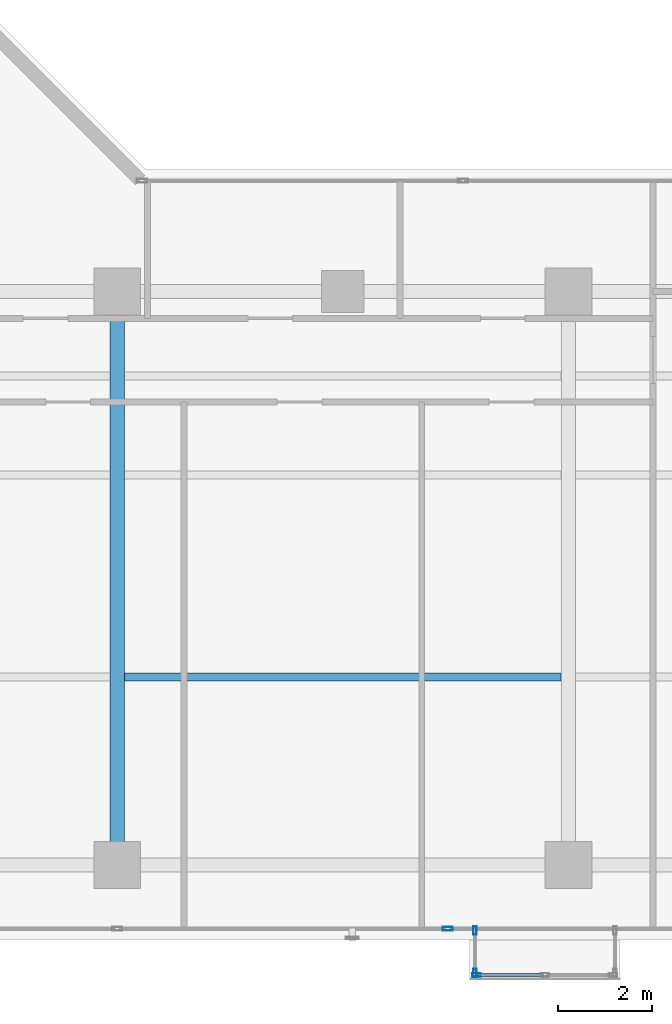
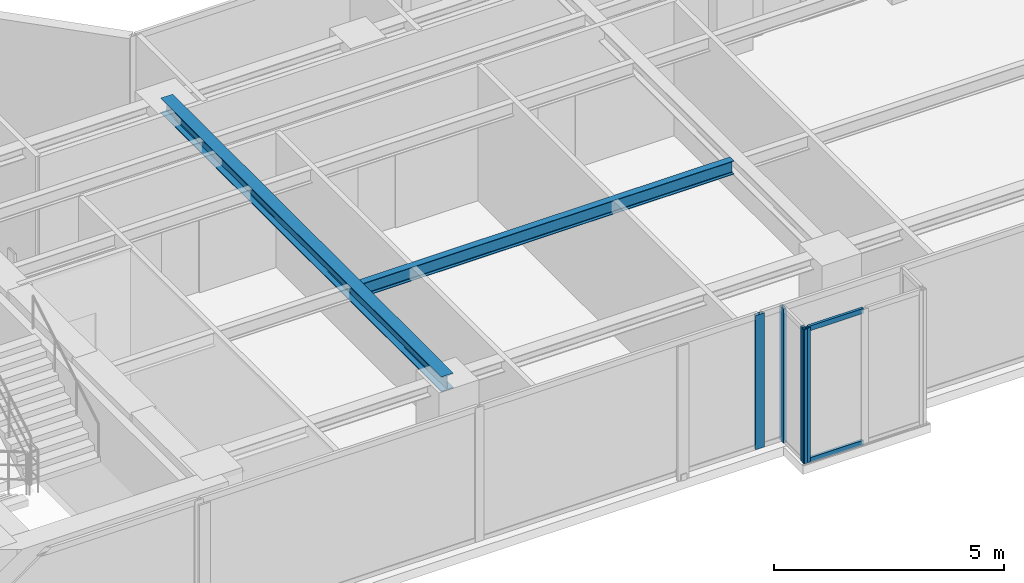
# One storey, part 5 of 24: 6 members, 2 beams, 3 elements without a shape of their own.
"""IFC4 building model written with IfcOpenShell, lengths in metres."""

from ifc_helpers import new_model, si_unit, direction, frame, origin, origin_with_axes, origin_2d, place, context, subcontext, project, spatial, hollow_rectangle, i_section, extrude, source, transform, mapped, material, layer, layer_set, material_profile, profile_set, type_object, element, aggregate, save


model = new_model("IFC4")

# Units and contexts
model_context = context("Model", 3, precision=1e-05, world=origin(), true_north=direction((0.0, 1.0)))
body_context = subcontext(model_context, "Body", "Model", "MODEL_VIEW")
ifc_project = project(units=[si_unit("LENGTHUNIT", "METRE"), si_unit("AREAUNIT", "SQUARE_METRE"), si_unit("VOLUMEUNIT", "CUBIC_METRE"), si_unit("PLANEANGLEUNIT", "RADIAN"), si_unit("MASSUNIT", "GRAM", prefix="KILO")], contexts=[model_context])

# Site, building, storey
site_placement = place(None, origin())
site = spatial("IfcSite", under=ifc_project, at=site_placement, CompositionType="ELEMENT")
building_placement = place(site_placement, origin())
building = spatial("IfcBuilding", under=site, at=building_placement, Name="Kolvaren Waterfront Exchange", CompositionType="ELEMENT")
storey_placement = place(building_placement, frame((0.0, 0.0, 208.300048828125)))
storey = spatial("IfcBuildingStorey", under=building, at=storey_placement, Name="L53", CompositionType="ELEMENT", Elevation=208.300048828125)

# Beams
ifc_material_1 = material(Name="Steel S355", Category="steel")
ifc_material_profile_1 = material_profile(ifc_material_1, i_section(OverallWidth=0.300048828125, OverallDepth=0.39990234375, WebThickness=0.013427734375, FlangeThickness=0.02392578125, FilletRadius=0.027099609375, at=origin_2d()), Name="HEB400")
ifc_profile_set_1 = profile_set([ifc_material_profile_1], Name="Steel S355")
beam_type_1 = type_object("IfcBeamType", Name="STR-BM-HEB400", PredefinedType="BEAM", material=ifc_profile_set_1)
beam_1_placement = place(storey_placement, frame((27.199951171875, 5.199951171875, 3.35986328125), z_axis=(0.0, 1.0, 0.0), x_axis=(-1.0, 0.0, 0.0)))
element("IfcBeam", 1, at=beam_1_placement, inside=storey, type_object=beam_type_1, Name="L53 east-arm transverse girder X27", PredefinedType="BEAM", context=body_context, shape_type="SweptSolid", body=[
    extrude(i_section(OverallWidth=0.300048828125, OverallDepth=0.39990234375, WebThickness=0.013427734375, FlangeThickness=0.02392578125, FilletRadius=0.027099609375, at=origin_2d()), origin(), (0.0, 0.0, 1.0), 12.199951171875),
])
ifc_material_profile_2 = material_profile(ifc_material_1, i_section(OverallWidth=0.169921875, OverallDepth=0.360107421875, WebThickness=0.008056640625, FlangeThickness=0.0126953125, FilletRadius=0.01806640625, at=origin_2d()), Name="IPE360")
ifc_profile_set_2 = profile_set([ifc_material_profile_2], Name="Steel S355")
beam_type_2 = type_object("IfcBeamType", Name="STR-BM-IPE360", PredefinedType="JOIST", material=ifc_profile_set_2)
beam_2_placement = place(storey_placement, frame((27.35205078125, 9.199951171875, 3.3798828125), z_axis=(1.0, 0.0, 0.0), x_axis=(0.0, 1.0, 0.0)))
element("IfcBeam", 2, at=beam_2_placement, inside=storey, type_object=beam_type_2, Name="L53 east-arm composite joist 2B", PredefinedType="JOIST", context=body_context, shape_type="SweptSolid", body=[
    extrude(i_section(OverallWidth=0.169921875, OverallDepth=0.360107421875, WebThickness=0.008056640625, FlangeThickness=0.0126953125, FilletRadius=0.01806640625, at=origin_2d()), origin(), (0.0, 0.0, 1.0), 9.2958984375),
])

# Curtain wall, members
ifc_material_2 = material(Name="Anodised bronze aluminium 6063-T6", Category="aluminium")
ifc_layer_1 = layer(ifc_material_2, 0.219970703125, Name="Anodised bronze aluminium 6063-T6")
ifc_layer_set_1 = layer_set([ifc_layer_1], Name="Anodised bronze aluminium 6063-T6")
curtain_wall_type_1 = type_object("IfcCurtainWallType", Name="ARC-CW-SYS3", PredefinedType="USERDEFINED", material=ifc_layer_set_1)
curtain_wall_1_placement = place(storey_placement, origin())
curtain_wall_1 = element("IfcCurtainWall", 3, at=curtain_wall_1_placement, inside=storey, type_object=curtain_wall_type_1, Name="L53 stick curtain wall CW3 (CW-L53-BOX)", ObjectType="STICK CURTAIN WALL", PredefinedType="USERDEFINED")
ifc_material_profile_3 = material_profile(ifc_material_2, hollow_rectangle(XDim=0.06494140625, YDim=0.1298828125, WallThickness=0.00390625, at=origin_2d()), Name="ALU-TRN-130x65x4")
ifc_profile_set_3 = profile_set([ifc_material_profile_3], Name="Anodised bronze aluminium 6063-T6")
member_type_1 = type_object("IfcMemberType", Name="ARC-CWT-130", PredefinedType="USERDEFINED", material=ifc_profile_set_3)
shared_shape_1 = source(origin_with_axes(), body_context, "Body", "SweptSolid", [
    extrude(hollow_rectangle(XDim=0.06494140625, YDim=0.1298828125, WallThickness=0.00390625, at=origin_2d()), origin(), (0.0, 0.0, 1.0), 1.37744140625),
])
member_1_placement = place(storey_placement, frame((34.885009765625, 2.860107421875, 0.032470703125), z_axis=(1.0, 0.0, 0.0), x_axis=(0.0, 1.0, 0.0)))
member_1 = element("IfcMember", 4, at=member_1_placement, type_object=member_type_1, Name="CW3 transom 1.1", ObjectType="TRANSOM", PredefinedType="USERDEFINED", context=body_context, shape_type="MappedRepresentation", body=[
    mapped(shared_shape_1, transform((0.0, 0.0, 0.0), x_axis=(1.0, 0.0, 0.0), y_axis=(0.0, 1.0, 0.0), z_axis=(0.0, 0.0, 1.0), scale=1.0)),
])
member_2_placement = place(storey_placement, frame((34.885009765625, 2.860107421875, 3.52734375), z_axis=(1.0, 0.0, 0.0), x_axis=(0.0, 1.0, 0.0)))
member_2 = element("IfcMember", 5, at=member_2_placement, type_object=member_type_1, Name="CW3 transom 1.2", ObjectType="TRANSOM", PredefinedType="USERDEFINED", context=body_context, shape_type="MappedRepresentation", body=[
    mapped(shared_shape_1, transform((0.0, 0.0, 0.0), x_axis=(1.0, 0.0, 0.0), y_axis=(0.0, 1.0, 0.0), z_axis=(0.0, 0.0, 1.0), scale=1.0)),
])

curtain_wall_2_placement = place(storey_placement, origin())
curtain_wall_2 = element("IfcCurtainWall", 6, at=curtain_wall_2_placement, inside=storey, type_object=curtain_wall_type_1, Name="L53 stick curtain wall CW3 (CW-L53-BOX-W)", ObjectType="STICK CURTAIN WALL", PredefinedType="USERDEFINED")
ifc_material_profile_4 = material_profile(ifc_material_2, hollow_rectangle(XDim=0.074951171875, YDim=0.179931640625, WallThickness=0.00439453125, at=origin_2d()), Name="ALU-MUL-180x75x4.5")
ifc_profile_set_4 = profile_set([ifc_material_profile_4], Name="Anodised bronze aluminium 6063-T6")
member_type_2 = type_object("IfcMemberType", Name="ARC-CWM-180", PredefinedType="MULLION", material=ifc_profile_set_4)
shared_shape_2 = source(origin_with_axes(), body_context, "Body", "SweptSolid", [
    extrude(hollow_rectangle(XDim=0.074951171875, YDim=0.179931640625, WallThickness=0.00439453125, at=origin_2d()), origin(), (0.0, 0.0, 1.0), 3.56005859375),
])
member_3_placement = place(storey_placement, frame((34.81005859375, 3.802490234375, 0.0), z_axis=(0.0, 0.0, 1.0), x_axis=(1.0, 0.0, 0.0)))
member_3 = element("IfcMember", 7, at=member_3_placement, type_object=member_type_2, Name="CW3 mullion 1", PredefinedType="MULLION", context=body_context, shape_type="MappedRepresentation", body=[
    mapped(shared_shape_2, transform((0.0, 0.0, 0.0), x_axis=(1.0, 0.0, 0.0), y_axis=(0.0, 1.0, 0.0), z_axis=(0.0, 0.0, 1.0), scale=1.0)),
])
member_4_placement = place(storey_placement, frame((34.81005859375, 2.8974609375, 0.0), z_axis=(0.0, 0.0, 1.0), x_axis=(1.0, 0.0, 0.0)))
member_4 = element("IfcMember", 8, at=member_4_placement, type_object=member_type_2, Name="CW3 mullion 2", PredefinedType="MULLION", context=body_context, shape_type="MappedRepresentation", body=[
    mapped(shared_shape_2, transform((0.0, 0.0, 0.0), x_axis=(1.0, 0.0, 0.0), y_axis=(0.0, 1.0, 0.0), z_axis=(0.0, 0.0, 1.0), scale=1.0)),
])
aggregate(curtain_wall_2, [member_3, member_4])

# Member
member_5_placement = place(storey_placement, frame((34.847412109375, 2.860107421875, 0.0), z_axis=(0.0, 0.0, 1.0), x_axis=(0.0, 1.0, 0.0)))
member_5 = element("IfcMember", 9, at=member_5_placement, type_object=member_type_2, Name="CW3 mullion 1", PredefinedType="MULLION", context=body_context, shape_type="MappedRepresentation", body=[
    mapped(shared_shape_2, transform((0.0, 0.0, 0.0), x_axis=(1.0, 0.0, 0.0), y_axis=(0.0, 1.0, 0.0), z_axis=(0.0, 0.0, 1.0), scale=1.0)),
])

aggregate(curtain_wall_1, [member_5, member_1, member_2])

# Curtain wall, member
ifc_layer_2 = layer(ifc_material_2, 0.219970703125, Name="Anodised bronze aluminium 6063-T6")
ifc_layer_set_2 = layer_set([ifc_layer_2], Name="Anodised bronze aluminium 6063-T6")
curtain_wall_type_2 = type_object("IfcCurtainWallType", Name="ARC-CW-SYS1", PredefinedType="USERDEFINED", material=ifc_layer_set_2)
curtain_wall_3_placement = place(storey_placement, origin())
curtain_wall_3 = element("IfcCurtainWall", 10, at=curtain_wall_3_placement, inside=storey, type_object=curtain_wall_type_2, Name="L53 stick curtain wall CW1 (CW-L53-S)", ObjectType="STICK CURTAIN WALL", PredefinedType="USERDEFINED")
ifc_material_3 = material(Name="Anodised aluminium 6063-T6", Category="aluminium")
ifc_material_profile_5 = material_profile(ifc_material_3, hollow_rectangle(XDim=0.080078125, YDim=0.219970703125, WallThickness=0.0048828125, at=origin_2d()), Name="ALU-MUL-220x80x5")
ifc_profile_set_5 = profile_set([ifc_material_profile_5], Name="Anodised aluminium 6063-T6")
member_type_3 = type_object("IfcMemberType", Name="ARC-CWM-220", PredefinedType="MULLION", material=ifc_profile_set_5)
shared_shape_3 = source(origin_with_axes(), body_context, "Body", "SweptSolid", [
    extrude(hollow_rectangle(XDim=0.080078125, YDim=0.219970703125, WallThickness=0.0048828125, at=origin_2d()), origin(), (0.0, 0.0, 1.0), 3.56005859375),
])
member_6_placement = place(storey_placement, frame((34.2333984375, 3.840087890625, 0.0), z_axis=(0.0, 0.0, 1.0), x_axis=(0.0, 1.0, 0.0)))
member_6 = element("IfcMember", 11, at=member_6_placement, type_object=member_type_3, Name="CW1 mullion 5", PredefinedType="MULLION", context=body_context, shape_type="MappedRepresentation", body=[
    mapped(shared_shape_3, transform((0.0, 0.0, 0.0), x_axis=(1.0, 0.0, 0.0), y_axis=(0.0, 1.0, 0.0), z_axis=(0.0, 0.0, 1.0), scale=1.0)),
])
aggregate(curtain_wall_3, [member_6])

save(model, "model.ifc")
